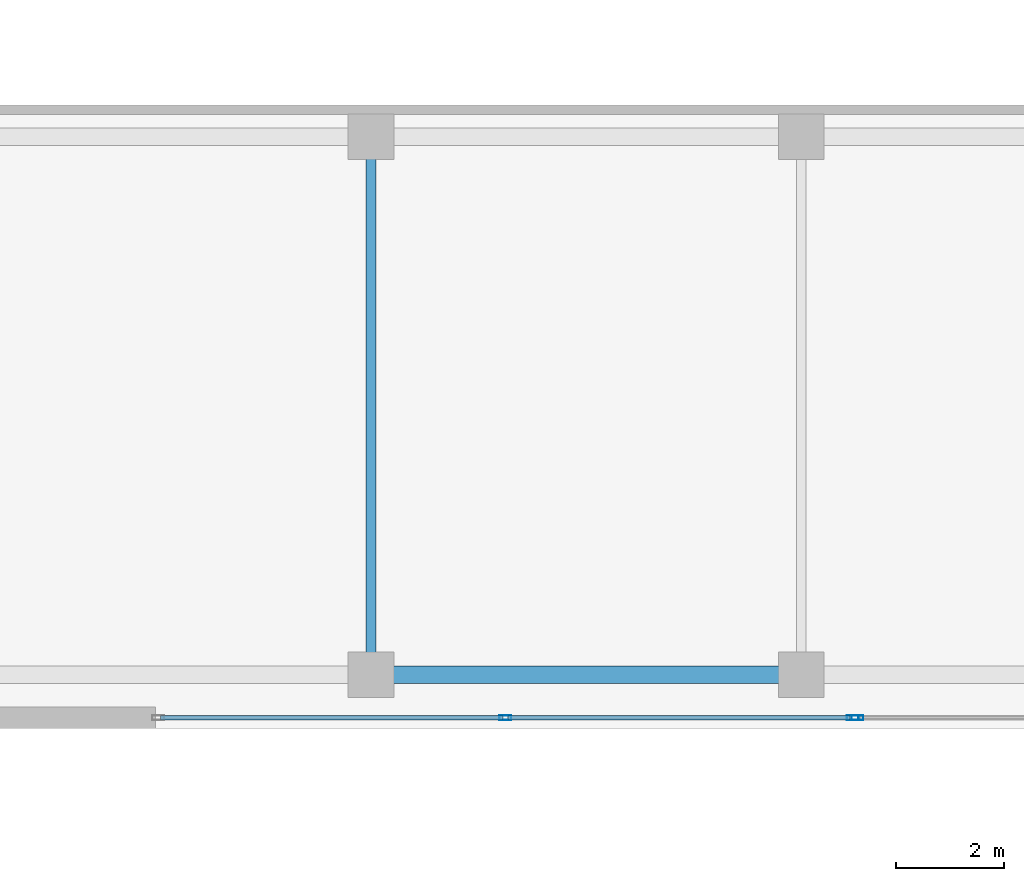
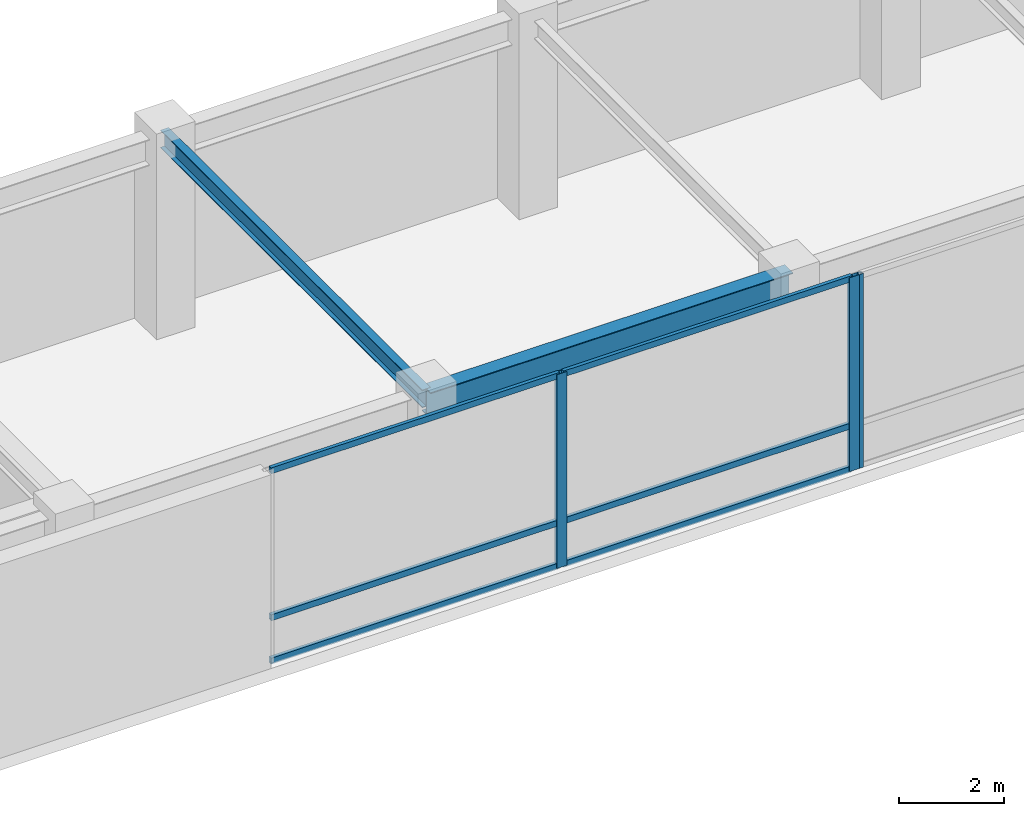
# One storey, part 13 of 40: 9 members, 2 beams, 2 elements without a shape of their own.
"""IFC4 building model written with IfcOpenShell, lengths in metres."""

from ifc_helpers import new_model, si_unit, direction, frame, origin, origin_2d, place, context, subcontext, project, spatial, hollow_rectangle, i_section, extrude, material, layer, layer_set, material_profile, profile_set, type_object, element, aggregate, save


model = new_model("IFC4")

# Units and contexts
model_context = context("Model", 3, precision=1e-05, world=origin(), true_north=direction((0.0, 1.0)))
body_context = subcontext(model_context, "Body", "Model", "MODEL_VIEW")
ifc_project = project(units=[si_unit("LENGTHUNIT", "METRE"), si_unit("AREAUNIT", "SQUARE_METRE"), si_unit("VOLUMEUNIT", "CUBIC_METRE"), si_unit("PLANEANGLEUNIT", "RADIAN"), si_unit("MASSUNIT", "GRAM", prefix="KILO")], contexts=[model_context])

# Site, building, storey
site_placement = place(None, origin())
site = spatial("IfcSite", under=ifc_project, at=site_placement, CompositionType="ELEMENT")
building_placement = place(site_placement, origin())
building = spatial("IfcBuilding", under=site, at=building_placement, Name="Kazevale Care Tower and Concert Hall", CompositionType="ELEMENT")
storey_placement = place(building_placement, frame((0.0, 0.0, 9.60009765625)))
storey = spatial("IfcBuildingStorey", under=building, at=storey_placement, Name="L02", CompositionType="ELEMENT", Elevation=9.60009765625)

# Curtain wall, members
ifc_material_1 = material(Name="Aluminium 6063-T6 and Low-E Glass", Category="aluminium")
ifc_layer = layer(ifc_material_1, 0.179931640625)
ifc_layer_set = layer_set([ifc_layer], Name="Aluminium 6063-T6 and Low-E Glass")
curtain_wall_type = type_object("IfcCurtainWallType", Name="Concert Hall Foyer Storefront Curtain Wall CW-6", PredefinedType="NOTDEFINED", material=ifc_layer_set)
curtain_wall_1_placement = place(storey_placement, origin())
curtain_wall_1 = element("IfcCurtainWall", 1, at=curtain_wall_1_placement, inside=storey, type_object=curtain_wall_type, Name="cw:L02:hall:S2", PredefinedType="NOTDEFINED")
ifc_material_2 = material(Name="Aluminium 6063-T6", Category="aluminium")
ifc_material_profile_1 = material_profile(ifc_material_2, hollow_rectangle(XDim=0.090087890625, YDim=0.219970703125, WallThickness=0.0048828125, at=origin_2d()), Name="ALU90x220x5")
ifc_profile_set_1 = profile_set([ifc_material_profile_1], Name="Aluminium 6063-T6")
member_type_1 = type_object("IfcMemberType", Name="CW-6 Mullion ALU90x220x5", PredefinedType="MULLION", material=ifc_profile_set_1)
member_1_placement = place(storey_placement, frame((114.5, 14.199951171875, 0.0), z_axis=(0.0, 0.0, 1.0), x_axis=(0.0, 1.0, 0.0)))
member_1 = element("IfcMember", 2, at=member_1_placement, type_object=member_type_1, Name="CW-6 mullion 2", PredefinedType="MULLION", context=body_context, shape_type="SweptSolid", body=[
    extrude(hollow_rectangle(XDim=0.090087890625, YDim=0.219970703125, WallThickness=0.0048828125, at=origin_2d()), origin(), (0.0, 0.0, 1.0), 4.52001953125),
])
member_2_placement = place(storey_placement, frame((120.955078125, 14.199951171875, 0.0), z_axis=(0.0, 0.0, 1.0), x_axis=(0.0, 1.0, 0.0)))
member_2 = element("IfcMember", 3, at=member_2_placement, type_object=member_type_1, Name="CW-6 mullion 3", PredefinedType="MULLION", context=body_context, shape_type="SweptSolid", body=[
    extrude(hollow_rectangle(XDim=0.090087890625, YDim=0.219970703125, WallThickness=0.0048828125, at=origin_2d()), origin(), (0.0, 0.0, 1.0), 4.52001953125),
])

# Curtain wall, member
curtain_wall_2_placement = place(storey_placement, origin())
curtain_wall_2 = element("IfcCurtainWall", 4, at=curtain_wall_2_placement, inside=storey, type_object=curtain_wall_type, Name="cw:L02:hall:S3", PredefinedType="NOTDEFINED")
member_3_placement = place(storey_placement, frame((121.044921875, 14.199951171875, 0.0), z_axis=(0.0, 0.0, 1.0), x_axis=(0.0, 1.0, 0.0)))
member_3 = element("IfcMember", 5, at=member_3_placement, type_object=member_type_1, Name="CW-6 mullion 1", PredefinedType="MULLION", context=body_context, shape_type="SweptSolid", body=[
    extrude(hollow_rectangle(XDim=0.090087890625, YDim=0.219970703125, WallThickness=0.0048828125, at=origin_2d()), origin(), (0.0, 0.0, 1.0), 4.52001953125),
])
aggregate(curtain_wall_2, [member_3])

# Member
ifc_material_profile_2 = material_profile(ifc_material_2, hollow_rectangle(XDim=0.080078125, YDim=0.139892578125, WallThickness=0.00390625, at=origin_2d()), Name="ALU80x140x4")
ifc_profile_set_2 = profile_set([ifc_material_profile_2], Name="Aluminium 6063-T6")
member_type_2 = type_object("IfcMemberType", Name="CW-6 Transom ALU80x140x4", PredefinedType="USERDEFINED", material=ifc_profile_set_2)
member_4_placement = place(storey_placement, frame((108.090087890625, 14.199951171875, 0.039794921875), z_axis=(1.0, 0.0, 0.0), x_axis=(0.0, 1.0, 0.0)))
member_4 = element("IfcMember", 6, at=member_4_placement, type_object=member_type_2, Name="CW-6 transom 1.1", ObjectType="TRANSOM", PredefinedType="USERDEFINED", context=body_context, shape_type="SweptSolid", body=[
    extrude(hollow_rectangle(XDim=0.080078125, YDim=0.139892578125, WallThickness=0.00390625, at=origin_2d()), origin(), (0.0, 0.0, 1.0), 6.364990234375),
])

member_5_placement = place(storey_placement, frame((108.090087890625, 14.199951171875, 1.0498046875), z_axis=(1.0, 0.0, 0.0), x_axis=(0.0, 1.0, 0.0)))
member_5 = element("IfcMember", 7, at=member_5_placement, type_object=member_type_2, Name="CW-6 transom 1.2", ObjectType="TRANSOM", PredefinedType="USERDEFINED", context=body_context, shape_type="SweptSolid", body=[
    extrude(hollow_rectangle(XDim=0.080078125, YDim=0.139892578125, WallThickness=0.00390625, at=origin_2d()), origin(), (0.0, 0.0, 1.0), 6.364990234375),
])

member_6_placement = place(storey_placement, frame((108.090087890625, 14.199951171875, 4.47998046875), z_axis=(1.0, 0.0, 0.0), x_axis=(0.0, 1.0, 0.0)))
member_6 = element("IfcMember", 8, at=member_6_placement, type_object=member_type_2, Name="CW-6 transom 1.3", ObjectType="TRANSOM", PredefinedType="USERDEFINED", context=body_context, shape_type="SweptSolid", body=[
    extrude(hollow_rectangle(XDim=0.080078125, YDim=0.139892578125, WallThickness=0.00390625, at=origin_2d()), origin(), (0.0, 0.0, 1.0), 6.364990234375),
])

member_7_placement = place(storey_placement, frame((114.544921875, 14.199951171875, 0.039794921875), z_axis=(1.0, 0.0, 0.0), x_axis=(0.0, 1.0, 0.0)))
member_7 = element("IfcMember", 9, at=member_7_placement, type_object=member_type_2, Name="CW-6 transom 2.1", ObjectType="TRANSOM", PredefinedType="USERDEFINED", context=body_context, shape_type="SweptSolid", body=[
    extrude(hollow_rectangle(XDim=0.080078125, YDim=0.139892578125, WallThickness=0.00390625, at=origin_2d()), origin(), (0.0, 0.0, 1.0), 6.364990234375),
])

member_8_placement = place(storey_placement, frame((114.544921875, 14.199951171875, 1.0498046875), z_axis=(1.0, 0.0, 0.0), x_axis=(0.0, 1.0, 0.0)))
member_8 = element("IfcMember", 10, at=member_8_placement, type_object=member_type_2, Name="CW-6 transom 2.2", ObjectType="TRANSOM", PredefinedType="USERDEFINED", context=body_context, shape_type="SweptSolid", body=[
    extrude(hollow_rectangle(XDim=0.080078125, YDim=0.139892578125, WallThickness=0.00390625, at=origin_2d()), origin(), (0.0, 0.0, 1.0), 6.364990234375),
])

member_9_placement = place(storey_placement, frame((114.544921875, 14.199951171875, 4.47998046875), z_axis=(1.0, 0.0, 0.0), x_axis=(0.0, 1.0, 0.0)))
member_9 = element("IfcMember", 11, at=member_9_placement, type_object=member_type_2, Name="CW-6 transom 2.3", ObjectType="TRANSOM", PredefinedType="USERDEFINED", context=body_context, shape_type="SweptSolid", body=[
    extrude(hollow_rectangle(XDim=0.080078125, YDim=0.139892578125, WallThickness=0.00390625, at=origin_2d()), origin(), (0.0, 0.0, 1.0), 6.364990234375),
])

aggregate(curtain_wall_1, [member_1, member_2, member_4, member_5, member_6, member_7, member_8, member_9])

# Beams
ifc_material_3 = material(Name="Steel ASTM A572 Gr 50", Category="steel")
ifc_material_profile_3 = material_profile(ifc_material_3, i_section(OverallWidth=0.323974609375, OverallDepth=0.611083984375, WebThickness=0.0126953125, FlangeThickness=0.01904296875, at=origin_2d()), Name="W610x155")
ifc_profile_set_3 = profile_set([ifc_material_profile_3], Name="Steel ASTM A572 Gr 50")
beam_type_1 = type_object("IfcBeamType", Name="Concert Hall Frame Girder W610x155", PredefinedType="BEAM", material=ifc_profile_set_3)
beam_1_placement = place(storey_placement, frame((112.0, 15.0, 4.21435546875), z_axis=(1.0, 0.0, 0.0), x_axis=(0.0, 1.0, 0.0)))
element("IfcBeam", 12, at=beam_1_placement, inside=storey, type_object=beam_type_1, Name="beam:L02:hx:112_15", PredefinedType="BEAM", context=body_context, shape_type="SweptSolid", body=[
    extrude(i_section(OverallWidth=0.323974609375, OverallDepth=0.611083984375, WebThickness=0.0126953125, FlangeThickness=0.01904296875, at=origin_2d()), origin(), (0.0, 0.0, 1.0), 8.0),
])
ifc_material_profile_4 = material_profile(ifc_material_3, i_section(OverallWidth=0.180908203125, OverallDepth=0.4169921875, WebThickness=0.010986328125, FlangeThickness=0.018310546875, at=origin_2d()), Name="W410x85")
ifc_profile_set_4 = profile_set([ifc_material_profile_4], Name="Steel ASTM A572 Gr 50")
beam_type_2 = type_object("IfcBeamType", Name="Concert Hall Secondary Beam W410x85", PredefinedType="BEAM", material=ifc_profile_set_4)
beam_2_placement = place(storey_placement, frame((112.0, 15.0, 4.3115234375), z_axis=(0.0, 1.0, 0.0), x_axis=(-1.0, 0.0, 0.0)))
element("IfcBeam", 13, at=beam_2_placement, inside=storey, type_object=beam_type_2, Name="beam:L02:hy:112_15", PredefinedType="BEAM", context=body_context, shape_type="SweptSolid", body=[
    extrude(i_section(OverallWidth=0.180908203125, OverallDepth=0.4169921875, WebThickness=0.010986328125, FlangeThickness=0.018310546875, at=origin_2d()), origin(), (0.0, 0.0, 1.0), 10.0),
])

save(model, "model.ifc")
